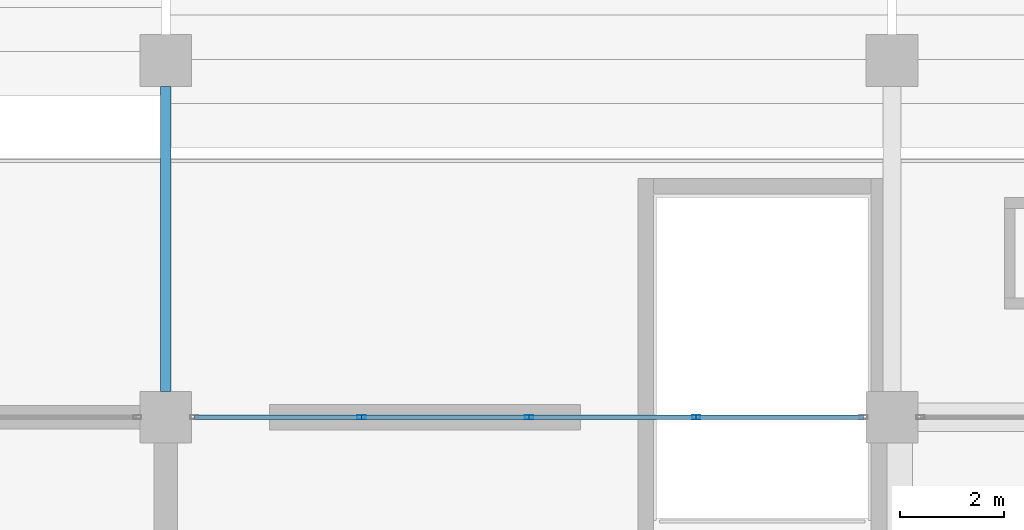
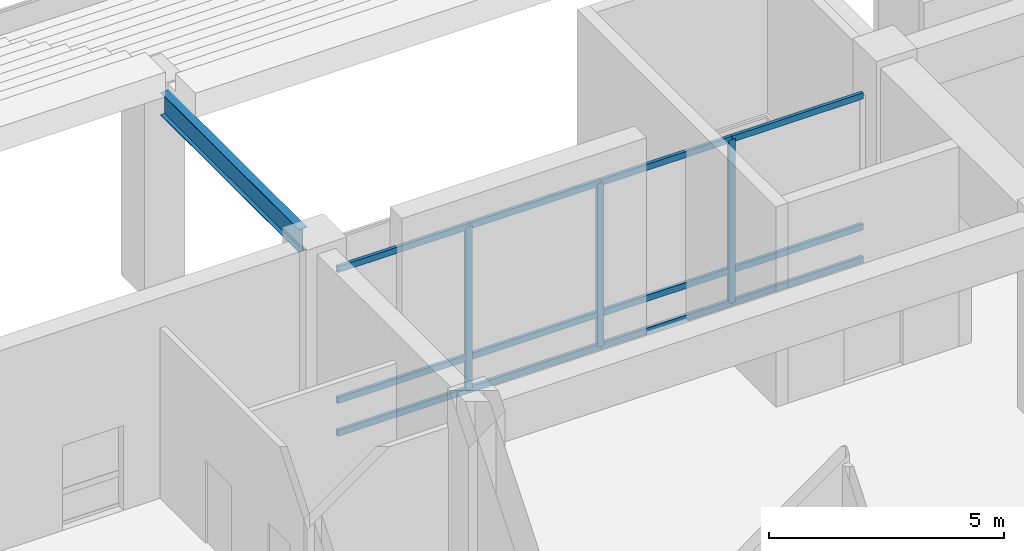
# One storey, part 34 of 117: 15 members, 1 beam, 1 element without a shape of its own.
"""IFC4 building model written with IfcOpenShell, lengths in metres."""

from ifc_helpers import new_model, si_unit, direction, frame, origin, origin_2d, place, context, subcontext, project, spatial, hollow_rectangle, i_section, extrude, material, material_profile, profile_set, type_object, element, aggregate, save


model = new_model("IFC4")

# Units and contexts
model_context = context("Model", 3, precision=1e-05, world=origin(), true_north=direction((0.0, 1.0)))
body_context = subcontext(model_context, "Body", "Model", "MODEL_VIEW")
ifc_project = project(units=[si_unit("LENGTHUNIT", "METRE"), si_unit("AREAUNIT", "SQUARE_METRE"), si_unit("VOLUMEUNIT", "CUBIC_METRE"), si_unit("PLANEANGLEUNIT", "RADIAN"), si_unit("MASSUNIT", "GRAM", prefix="KILO")], contexts=[model_context])

# Site, building, storey
site_placement = place(None, origin())
site = spatial("IfcSite", under=ifc_project, at=site_placement, CompositionType="ELEMENT")
building_placement = place(site_placement, origin())
building = spatial("IfcBuilding", under=site, at=building_placement, Name="Linyun Crest Stadium", CompositionType="ELEMENT")
storey_placement = place(building_placement, frame((0.0, 0.0, 6.0)))
storey = spatial("IfcBuildingStorey", under=building, at=storey_placement, Name="L02", CompositionType="ELEMENT", Elevation=6.0)

# Beam
ifc_material_1 = material(Name="Steel Q355C", Category="steel")
ifc_material_profile_1 = material_profile(ifc_material_1, i_section(OverallWidth=0.199951171875, OverallDepth=0.60009765625, WebThickness=0.010986328125, FlangeThickness=0.01708984375, at=origin_2d()), Name="HN 600x200")
ifc_profile_set_1 = profile_set([ifc_material_profile_1], Name="Steel Q355C")
beam_type = type_object("IfcBeamType", Name="B11", PredefinedType="BEAM", material=ifc_profile_set_1)
beam_placement = place(storey_placement, frame((-14.0, -73.0, 4.89990234375), z_axis=(0.0, 1.0, 0.0), x_axis=(-1.0, 0.0, 0.0)))
element("IfcBeam", 1, at=beam_placement, inside=storey, type_object=beam_type, Name="Frame beam B11 L02 914", PredefinedType="BEAM", context=body_context, shape_type="SweptSolid", body=[
    extrude(i_section(OverallWidth=0.199951171875, OverallDepth=0.60009765625, WebThickness=0.010986328125, FlangeThickness=0.01708984375, at=origin_2d()), origin(), (0.0, 0.0, 1.0), 5.875),
])

# Curtain wall, members
ifc_material_2 = material(Name="Verdigris steel and low-E curtain wall assembly", Category="steel")
curtain_wall_type = type_object("IfcCurtainWallType", Name="MCW03", PredefinedType="NOTDEFINED", material=ifc_material_2)
curtain_wall_placement = place(storey_placement, origin())
curtain_wall = element("IfcCurtainWall", 2, at=curtain_wall_placement, inside=storey, type_object=curtain_wall_type, Name="CWR-138", PredefinedType="NOTDEFINED")
ifc_material_3 = material(Name="Aluminium thermally broken mullion", Category="aluminium")
ifc_material_profile_2 = material_profile(ifc_material_3, hollow_rectangle(XDim=0.080078125, YDim=0.159912109375, WallThickness=0.006103515625, at=origin_2d()), Name="RHS 160x80x6")
ifc_profile_set_2 = profile_set([ifc_material_profile_2], Name="Aluminium thermally broken mullion")
member_type_1 = type_object("IfcMemberType", Name="ML01", PredefinedType="MULLION", material=ifc_profile_set_2)
member_1_placement = place(storey_placement, frame((-10.22509765625, -73.5, 0.0), z_axis=(0.0, 0.0, 1.0), x_axis=(0.0, 1.0, 0.0)))
member_1 = element("IfcMember", 3, at=member_1_placement, type_object=member_type_1, Name="CWR-138 mullion 2", PredefinedType="MULLION", context=body_context, shape_type="SweptSolid", body=[
    extrude(hollow_rectangle(XDim=0.080078125, YDim=0.159912109375, WallThickness=0.006103515625, at=origin_2d()), origin(), (0.0, 0.0, 1.0), 4.25),
])
member_2_placement = place(storey_placement, frame((-7.0, -73.5, 0.0), z_axis=(0.0, 0.0, 1.0), x_axis=(0.0, 1.0, 0.0)))
member_2 = element("IfcMember", 4, at=member_2_placement, type_object=member_type_1, Name="CWR-138 mullion 3", PredefinedType="MULLION", context=body_context, shape_type="SweptSolid", body=[
    extrude(hollow_rectangle(XDim=0.080078125, YDim=0.159912109375, WallThickness=0.006103515625, at=origin_2d()), origin(), (0.0, 0.0, 1.0), 4.25),
])
member_3_placement = place(storey_placement, frame((-3.77490234375, -73.5, 0.0), z_axis=(0.0, 0.0, 1.0), x_axis=(0.0, 1.0, 0.0)))
member_3 = element("IfcMember", 5, at=member_3_placement, type_object=member_type_1, Name="CWR-138 mullion 4", PredefinedType="MULLION", context=body_context, shape_type="SweptSolid", body=[
    extrude(hollow_rectangle(XDim=0.080078125, YDim=0.159912109375, WallThickness=0.006103515625, at=origin_2d()), origin(), (0.0, 0.0, 1.0), 4.25),
])
ifc_material_4 = material(Name="Aluminium thermally broken transom", Category="aluminium")
ifc_material_profile_3 = material_profile(ifc_material_4, hollow_rectangle(XDim=0.080078125, YDim=0.159912109375, WallThickness=0.006103515625, at=origin_2d()), Name="RHS 160x80x6")
ifc_profile_set_3 = profile_set([ifc_material_profile_3], Name="Aluminium thermally broken transom")
member_type_2 = type_object("IfcMemberType", Name="TR01", PredefinedType="USERDEFINED", material=ifc_profile_set_3)
member_4_placement = place(storey_placement, frame((-13.449951171875, -73.5, 0.0), z_axis=(1.0, 0.0, 0.0), x_axis=(0.0, 1.0, 0.0)))
member_4 = element("IfcMember", 6, at=member_4_placement, type_object=member_type_2, Name="CWR-138 transom 1.1", ObjectType="TRANSOM", PredefinedType="USERDEFINED", context=body_context, shape_type="SweptSolid", body=[
    extrude(hollow_rectangle(XDim=0.080078125, YDim=0.159912109375, WallThickness=0.006103515625, at=origin_2d()), origin(), (0.0, 0.0, 1.0), 3.224853515625),
])
member_5_placement = place(storey_placement, frame((-13.449951171875, -73.5, 0.85009765625), z_axis=(1.0, 0.0, 0.0), x_axis=(0.0, 1.0, 0.0)))
member_5 = element("IfcMember", 7, at=member_5_placement, type_object=member_type_2, Name="CWR-138 transom 1.2", ObjectType="TRANSOM", PredefinedType="USERDEFINED", context=body_context, shape_type="SweptSolid", body=[
    extrude(hollow_rectangle(XDim=0.080078125, YDim=0.159912109375, WallThickness=0.006103515625, at=origin_2d()), origin(), (0.0, 0.0, 1.0), 3.224853515625),
])
member_6_placement = place(storey_placement, frame((-13.449951171875, -73.5, 4.25), z_axis=(1.0, 0.0, 0.0), x_axis=(0.0, 1.0, 0.0)))
member_6 = element("IfcMember", 8, at=member_6_placement, type_object=member_type_2, Name="CWR-138 transom 1.3", ObjectType="TRANSOM", PredefinedType="USERDEFINED", context=body_context, shape_type="SweptSolid", body=[
    extrude(hollow_rectangle(XDim=0.080078125, YDim=0.159912109375, WallThickness=0.006103515625, at=origin_2d()), origin(), (0.0, 0.0, 1.0), 3.224853515625),
])
member_7_placement = place(storey_placement, frame((-10.22509765625, -73.5, 0.0), z_axis=(1.0, 0.0, 0.0), x_axis=(0.0, 1.0, 0.0)))
member_7 = element("IfcMember", 9, at=member_7_placement, type_object=member_type_2, Name="CWR-138 transom 2.1", ObjectType="TRANSOM", PredefinedType="USERDEFINED", context=body_context, shape_type="SweptSolid", body=[
    extrude(hollow_rectangle(XDim=0.080078125, YDim=0.159912109375, WallThickness=0.006103515625, at=origin_2d()), origin(), (0.0, 0.0, 1.0), 3.22509765625),
])
member_8_placement = place(storey_placement, frame((-10.22509765625, -73.5, 0.85009765625), z_axis=(1.0, 0.0, 0.0), x_axis=(0.0, 1.0, 0.0)))
member_8 = element("IfcMember", 10, at=member_8_placement, type_object=member_type_2, Name="CWR-138 transom 2.2", ObjectType="TRANSOM", PredefinedType="USERDEFINED", context=body_context, shape_type="SweptSolid", body=[
    extrude(hollow_rectangle(XDim=0.080078125, YDim=0.159912109375, WallThickness=0.006103515625, at=origin_2d()), origin(), (0.0, 0.0, 1.0), 3.22509765625),
])
member_9_placement = place(storey_placement, frame((-10.22509765625, -73.5, 4.25), z_axis=(1.0, 0.0, 0.0), x_axis=(0.0, 1.0, 0.0)))
member_9 = element("IfcMember", 11, at=member_9_placement, type_object=member_type_2, Name="CWR-138 transom 2.3", ObjectType="TRANSOM", PredefinedType="USERDEFINED", context=body_context, shape_type="SweptSolid", body=[
    extrude(hollow_rectangle(XDim=0.080078125, YDim=0.159912109375, WallThickness=0.006103515625, at=origin_2d()), origin(), (0.0, 0.0, 1.0), 3.22509765625),
])
member_10_placement = place(storey_placement, frame((-7.0, -73.5, 0.0), z_axis=(1.0, 0.0, 0.0), x_axis=(0.0, 1.0, 0.0)))
member_10 = element("IfcMember", 12, at=member_10_placement, type_object=member_type_2, Name="CWR-138 transom 3.1", ObjectType="TRANSOM", PredefinedType="USERDEFINED", context=body_context, shape_type="SweptSolid", body=[
    extrude(hollow_rectangle(XDim=0.080078125, YDim=0.159912109375, WallThickness=0.006103515625, at=origin_2d()), origin(), (0.0, 0.0, 1.0), 3.22509765625),
])
member_11_placement = place(storey_placement, frame((-7.0, -73.5, 0.85009765625), z_axis=(1.0, 0.0, 0.0), x_axis=(0.0, 1.0, 0.0)))
member_11 = element("IfcMember", 13, at=member_11_placement, type_object=member_type_2, Name="CWR-138 transom 3.2", ObjectType="TRANSOM", PredefinedType="USERDEFINED", context=body_context, shape_type="SweptSolid", body=[
    extrude(hollow_rectangle(XDim=0.080078125, YDim=0.159912109375, WallThickness=0.006103515625, at=origin_2d()), origin(), (0.0, 0.0, 1.0), 3.22509765625),
])
member_12_placement = place(storey_placement, frame((-7.0, -73.5, 4.25), z_axis=(1.0, 0.0, 0.0), x_axis=(0.0, 1.0, 0.0)))
member_12 = element("IfcMember", 14, at=member_12_placement, type_object=member_type_2, Name="CWR-138 transom 3.3", ObjectType="TRANSOM", PredefinedType="USERDEFINED", context=body_context, shape_type="SweptSolid", body=[
    extrude(hollow_rectangle(XDim=0.080078125, YDim=0.159912109375, WallThickness=0.006103515625, at=origin_2d()), origin(), (0.0, 0.0, 1.0), 3.22509765625),
])
member_13_placement = place(storey_placement, frame((-3.77490234375, -73.5, 0.0), z_axis=(1.0, 0.0, 0.0), x_axis=(0.0, 1.0, 0.0)))
member_13 = element("IfcMember", 15, at=member_13_placement, type_object=member_type_2, Name="CWR-138 transom 4.1", ObjectType="TRANSOM", PredefinedType="USERDEFINED", context=body_context, shape_type="SweptSolid", body=[
    extrude(hollow_rectangle(XDim=0.080078125, YDim=0.159912109375, WallThickness=0.006103515625, at=origin_2d()), origin(), (0.0, 0.0, 1.0), 3.224853515625),
])
member_14_placement = place(storey_placement, frame((-3.77490234375, -73.5, 0.85009765625), z_axis=(1.0, 0.0, 0.0), x_axis=(0.0, 1.0, 0.0)))
member_14 = element("IfcMember", 16, at=member_14_placement, type_object=member_type_2, Name="CWR-138 transom 4.2", ObjectType="TRANSOM", PredefinedType="USERDEFINED", context=body_context, shape_type="SweptSolid", body=[
    extrude(hollow_rectangle(XDim=0.080078125, YDim=0.159912109375, WallThickness=0.006103515625, at=origin_2d()), origin(), (0.0, 0.0, 1.0), 3.224853515625),
])
member_15_placement = place(storey_placement, frame((-3.77490234375, -73.5, 4.25), z_axis=(1.0, 0.0, 0.0), x_axis=(0.0, 1.0, 0.0)))
member_15 = element("IfcMember", 17, at=member_15_placement, type_object=member_type_2, Name="CWR-138 transom 4.3", ObjectType="TRANSOM", PredefinedType="USERDEFINED", context=body_context, shape_type="SweptSolid", body=[
    extrude(hollow_rectangle(XDim=0.080078125, YDim=0.159912109375, WallThickness=0.006103515625, at=origin_2d()), origin(), (0.0, 0.0, 1.0), 3.224853515625),
])
aggregate(curtain_wall, [member_1, member_2, member_3, member_4, member_5, member_6, member_7, member_8, member_9, member_10, member_11, member_12, member_13, member_14, member_15])

save(model, "model.ifc")
